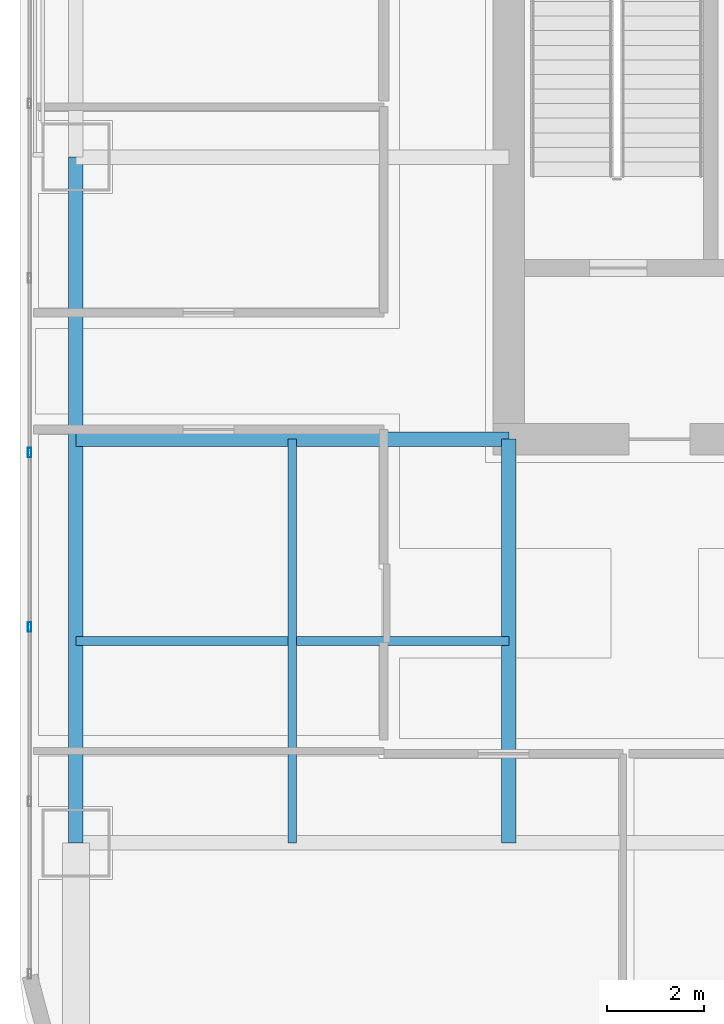
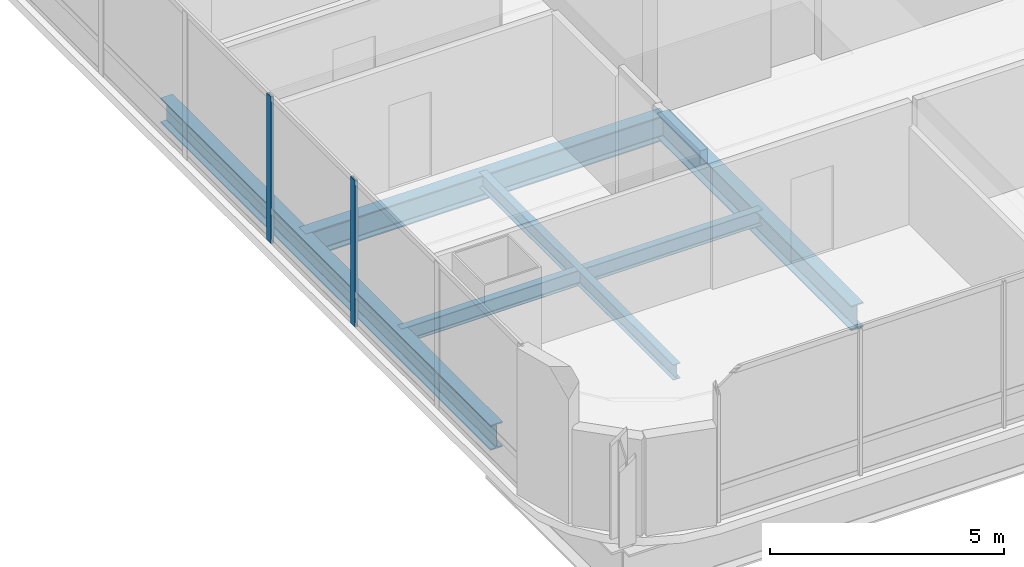
# One storey, part 4 of 37: 5 beams, 2 members, 1 element without a shape of its own.
"""IFC4 building model written with IfcOpenShell, lengths in metres."""

from ifc_helpers import new_model, si_unit, direction, frame, origin, origin_2d, place, context, subcontext, project, spatial, hollow_rectangle, i_section, extrude, material, material_profile, profile_set, type_object, element, aggregate, save


model = new_model("IFC4")

# Units and contexts
model_context = context("Model", 3, precision=1e-05, world=origin(), true_north=direction((0.0, 1.0)))
body_context = subcontext(model_context, "Body", "Model", "MODEL_VIEW")
ifc_project = project(units=[si_unit("LENGTHUNIT", "METRE"), si_unit("AREAUNIT", "SQUARE_METRE"), si_unit("VOLUMEUNIT", "CUBIC_METRE"), si_unit("PLANEANGLEUNIT", "RADIAN"), si_unit("MASSUNIT", "GRAM", prefix="KILO")], contexts=[model_context])

# Site, building, storey
site_placement = place(None, origin())
site = spatial("IfcSite", under=ifc_project, at=site_placement, CompositionType="ELEMENT")
building_placement = place(site_placement, origin())
building = spatial("IfcBuilding", under=site, at=building_placement, Name="Punatoya Terracotta Tower", CompositionType="ELEMENT")
storey_placement = place(building_placement, frame((0.0, 0.0, 224.85009765625)))
storey = spatial("IfcBuildingStorey", under=building, at=storey_placement, Name="L53", CompositionType="ELEMENT", Elevation=224.85009765625)

# Beams
ifc_material_1 = material(Name="Steel S355", Category="steel")
ifc_material_profile_1 = material_profile(ifc_material_1, i_section(OverallWidth=0.300048828125, OverallDepth=0.64990234375, WebThickness=0.01611328125, FlangeThickness=0.031005859375, FilletRadius=0.01806640625, at=origin_2d()))
ifc_profile_set_1 = profile_set([ifc_material_profile_1], Name="Steel S355")
beam_type_1 = type_object("IfcBeamType", Name="BM-PRI-650", PredefinedType="BEAM", material=ifc_profile_set_1)
beam_1_placement = place(storey_placement, frame((-19.10009765625, -17.5, -0.545166015625), z_axis=(0.0, 1.0, 0.0), x_axis=(-1.0, 0.0, 0.0)))
element("IfcBeam", 1, at=beam_1_placement, inside=storey, type_object=beam_type_1, Name="BM-L53-RG-W1", PredefinedType="BEAM", context=body_context, shape_type="SweptSolid", body=[
    extrude(i_section(OverallWidth=0.300048828125, OverallDepth=0.64990234375, WebThickness=0.01611328125, FlangeThickness=0.031005859375, FilletRadius=0.01806640625, at=origin_2d()), origin(), (0.0, 0.0, 1.0), 14.10009765625),
])
beam_2_placement = place(storey_placement, frame((-19.10009765625, -9.199951171875, -0.545166015625), z_axis=(1.0, 0.0, 0.0), x_axis=(0.0, 1.0, 0.0)))
element("IfcBeam", 2, at=beam_2_placement, inside=storey, type_object=beam_type_1, Name="BM-L53-PR-WS", PredefinedType="BEAM", context=body_context, shape_type="SweptSolid", body=[
    extrude(i_section(OverallWidth=0.300048828125, OverallDepth=0.64990234375, WebThickness=0.01611328125, FlangeThickness=0.031005859375, FilletRadius=0.01806640625, at=origin_2d()), origin(), (0.0, 0.0, 1.0), 8.900146484375),
])
beam_3_placement = place(storey_placement, frame((-10.199951171875, -17.5, -0.545166015625), z_axis=(0.0, 1.0, 0.0), x_axis=(-1.0, 0.0, 0.0)))
element("IfcBeam", 3, at=beam_3_placement, inside=storey, type_object=beam_type_1, Name="BM-L53-PR-S1", PredefinedType="BEAM", context=body_context, shape_type="SweptSolid", body=[
    extrude(i_section(OverallWidth=0.300048828125, OverallDepth=0.64990234375, WebThickness=0.01611328125, FlangeThickness=0.031005859375, FilletRadius=0.01806640625, at=origin_2d()), origin(), (0.0, 0.0, 1.0), 8.300048828125),
])
ifc_material_profile_2 = material_profile(ifc_material_1, i_section(OverallWidth=0.179931640625, OverallDepth=0.39990234375, WebThickness=0.008544921875, FlangeThickness=0.013427734375, FilletRadius=0.01806640625, at=origin_2d()))
ifc_profile_set_2 = profile_set([ifc_material_profile_2], Name="Steel S355")
beam_type_2 = type_object("IfcBeamType", Name="BM-SEC-400", PredefinedType="JOIST", material=ifc_profile_set_2)
beam_4_placement = place(storey_placement, frame((-19.10009765625, -13.35009765625, -0.420166015625), z_axis=(1.0, 0.0, 0.0), x_axis=(0.0, 1.0, 0.0)))
element("IfcBeam", 4, at=beam_4_placement, inside=storey, type_object=beam_type_2, Name="BM-L53-SJS-1", PredefinedType="JOIST", context=body_context, shape_type="SweptSolid", body=[
    extrude(i_section(OverallWidth=0.179931640625, OverallDepth=0.39990234375, WebThickness=0.008544921875, FlangeThickness=0.013427734375, FilletRadius=0.01806640625, at=origin_2d()), origin(), (0.0, 0.0, 1.0), 8.900146484375),
])
beam_5_placement = place(storey_placement, frame((-14.64990234375, -17.5, -0.420166015625), z_axis=(0.0, 1.0, 0.0), x_axis=(-1.0, 0.0, 0.0)))
element("IfcBeam", 5, at=beam_5_placement, inside=storey, type_object=beam_type_2, Name="BM-L53-SJW-1", PredefinedType="JOIST", context=body_context, shape_type="SweptSolid", body=[
    extrude(i_section(OverallWidth=0.179931640625, OverallDepth=0.39990234375, WebThickness=0.008544921875, FlangeThickness=0.013427734375, FilletRadius=0.01806640625, at=origin_2d()), origin(), (0.0, 0.0, 1.0), 8.300048828125),
])

# Curtain wall, members
ifc_material_2 = material(Name="Aluminium 6063-T6 + Double Low-E Glass", Category="aluminium")
curtain_wall_type = type_object("IfcCurtainWallType", Name="CW-M2", PredefinedType="NOTDEFINED", material=ifc_material_2)
curtain_wall_placement = place(storey_placement, origin())
curtain_wall = element("IfcCurtainWall", 6, at=curtain_wall_placement, inside=storey, type_object=curtain_wall_type, Name="L53 Curtain Wall CW-L53-W11-1", PredefinedType="NOTDEFINED")
ifc_material_3 = material(Name="Aluminium 6063-T6", Category="aluminium")
ifc_material_profile_3 = material_profile(ifc_material_3, hollow_rectangle(XDim=0.072021484375, YDim=0.195068359375, WallThickness=0.00439453125, at=origin_2d()))
ifc_profile_set_3 = profile_set([ifc_material_profile_3], Name="Aluminium 6063-T6")
member_type = type_object("IfcMemberType", Name="CW-MUL-M2", PredefinedType="MULLION", material=ifc_profile_set_3)
member_1_placement = place(storey_placement, frame((-20.050048828125, -9.474609375, 0.0), z_axis=(0.0, 0.0, 1.0), x_axis=(1.0, 0.0, 0.0)))
member_1 = element("IfcMember", 7, at=member_1_placement, type_object=member_type, Name="CW-L53-W11-1 Mullion 06", PredefinedType="MULLION", context=body_context, shape_type="SweptSolid", body=[
    extrude(hollow_rectangle(XDim=0.072021484375, YDim=0.195068359375, WallThickness=0.00439453125, at=origin_2d()), origin(), (0.0, 0.0, 1.0), 3.829833984375),
])
member_2_placement = place(storey_placement, frame((-20.050048828125, -13.06201171875, 0.0), z_axis=(0.0, 0.0, 1.0), x_axis=(1.0, 0.0, 0.0)))
member_2 = element("IfcMember", 8, at=member_2_placement, type_object=member_type, Name="CW-L53-W11-1 Mullion 07", PredefinedType="MULLION", context=body_context, shape_type="SweptSolid", body=[
    extrude(hollow_rectangle(XDim=0.072021484375, YDim=0.195068359375, WallThickness=0.00439453125, at=origin_2d()), origin(), (0.0, 0.0, 1.0), 3.829833984375),
])
aggregate(curtain_wall, [member_1, member_2])

save(model, "model.ifc")
